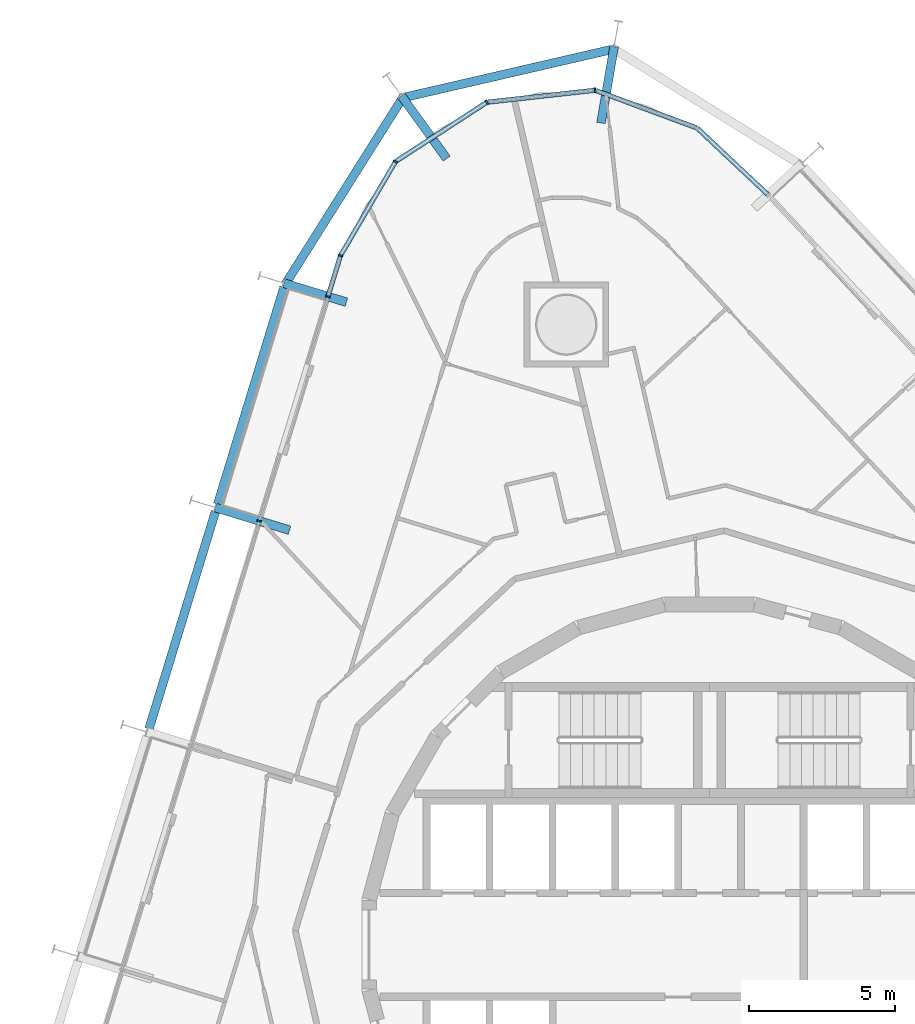
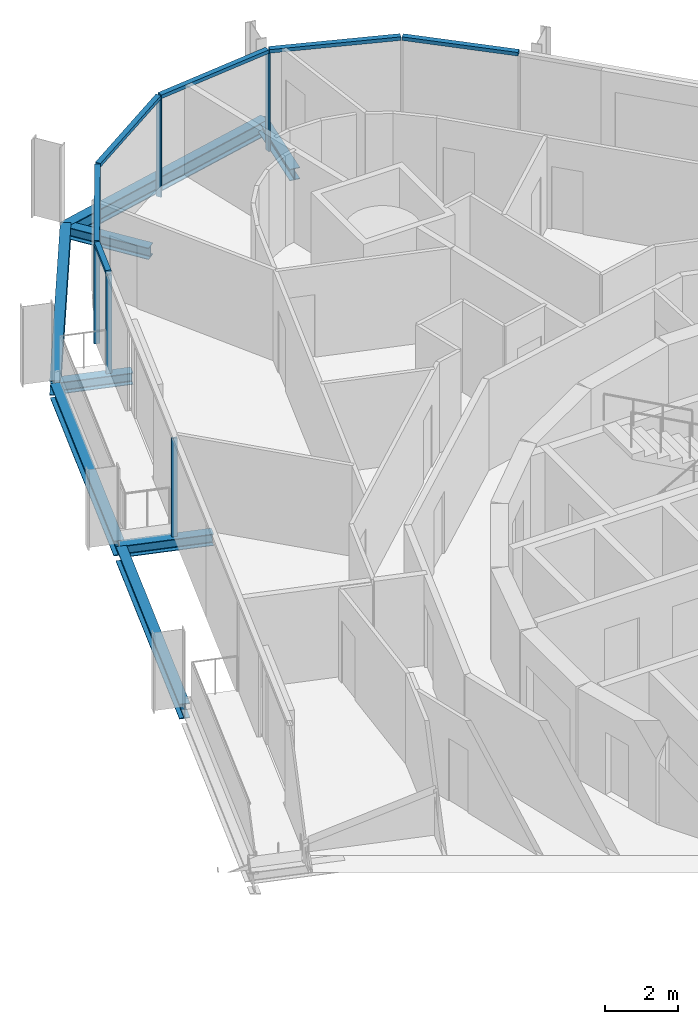
# One storey, part 7 of 18: 12 members, 8 beams, 2 elements without a shape of their own.
"""IFC4 building model written with IfcOpenShell, lengths in metres."""

from ifc_helpers import new_model, si_unit, direction, frame, origin, origin_2d, place, context, subcontext, project, spatial, rectangle, i_section, extrude, material, layer, layer_set, material_profile, profile_set, type_object, element, aggregate, save


model = new_model("IFC4")

# Units and contexts
model_context = context("Model", 3, precision=1e-05, world=origin(), true_north=direction((0.0, 1.0)))
body_context = subcontext(model_context, "Body", "Model", "MODEL_VIEW")
ifc_project = project(units=[si_unit("LENGTHUNIT", "METRE"), si_unit("AREAUNIT", "SQUARE_METRE"), si_unit("VOLUMEUNIT", "CUBIC_METRE"), si_unit("PLANEANGLEUNIT", "RADIAN"), si_unit("MASSUNIT", "GRAM", prefix="KILO")], contexts=[model_context])

# Site, building, storey
site_placement = place(None, origin())
site = spatial("IfcSite", under=ifc_project, at=site_placement, CompositionType="ELEMENT")
building_placement = place(site_placement, origin())
building = spatial("IfcBuilding", under=site, at=building_placement, Name="Spindle Arch Residences", CompositionType="ELEMENT")
storey_placement = place(building_placement, frame((0.0, 0.0, 141.39990234375)))
storey = spatial("IfcBuildingStorey", under=building, at=storey_placement, Name="L35", CompositionType="ELEMENT", Elevation=141.39990234375)

# Curtain wall, members
ifc_material_1 = material(Name="Aluminium bronze unitised frame with tinted glass", Category="aluminium")
ifc_layer_1 = layer(ifc_material_1, 0.159912109375)
ifc_layer_set_1 = layer_set([ifc_layer_1], Name="CW-D corner wall on the fillet arcs")
curtain_wall_type_1 = type_object("IfcCurtainWallType", Name="CW-D corner wall on the fillet arcs", PredefinedType="NOTDEFINED", material=ifc_layer_set_1)
curtain_wall_1_placement = place(storey_placement, origin())
curtain_wall_1 = element("IfcCurtainWall", 1, at=curtain_wall_1_placement, inside=storey, type_object=curtain_wall_type_1, Name="CW-D L35 run 3", PredefinedType="NOTDEFINED")
ifc_material_2 = material(Name="Aluminium bronze anodised mullion", Category="aluminium")
ifc_material_profile_1 = material_profile(ifc_material_2, rectangle(XDim=0.159912109375, YDim=0.06005859375, at=origin_2d()), Name="MU 60x160")
ifc_profile_set_1 = profile_set([ifc_material_profile_1], Name="Aluminium bronze anodised mullion")
member_type_1 = type_object("IfcMemberType", Name="Bronze mullion 60x160", PredefinedType="MULLION", material=ifc_profile_set_1)
member_1_placement = place(storey_placement, frame((-3.9150390625, 29.243408203125, -0.3798828125), z_axis=(0.0, 0.0, 1.0), x_axis=(0.110312556619, -0.993896946294, 0.0)))
member_1 = element("IfcMember", 2, at=member_1_placement, type_object=member_type_1, Name="CW-D mullion 02", PredefinedType="MULLION", context=body_context, shape_type="SweptSolid", body=[
    extrude(rectangle(XDim=0.159912109375, YDim=0.06005859375, at=origin_2d()), origin(), (0.0, 0.0, 1.0), 3.31005859375),
])
member_2_placement = place(storey_placement, frame((-7.619140625, 28.832275390625, -0.3798828125), z_axis=(0.0, 0.0, 1.0), x_axis=(0.544639035308, -0.838670567755, 0.0)))
member_2 = element("IfcMember", 3, at=member_2_placement, type_object=member_type_1, Name="CW-D mullion 03", PredefinedType="MULLION", context=body_context, shape_type="SweptSolid", body=[
    extrude(rectangle(XDim=0.159912109375, YDim=0.06005859375, at=origin_2d()), origin(), (0.0, 0.0, 1.0), 3.31005859375),
])
member_3_placement = place(storey_placement, frame((-10.74462890625, 26.802490234375, -0.3798828125), z_axis=(0.0, 0.0, 1.0), x_axis=(0.863101880723, -0.505029844161, 0.0)))
member_3 = element("IfcMember", 4, at=member_3_placement, type_object=member_type_1, Name="CW-D mullion 04", PredefinedType="MULLION", context=body_context, shape_type="SweptSolid", body=[
    extrude(rectangle(XDim=0.159912109375, YDim=0.06005859375, at=origin_2d()), origin(), (0.0, 0.0, 1.0), 3.31005859375),
])
member_4_placement = place(storey_placement, frame((-12.626708984375, 23.5859375, -0.3798828125), z_axis=(0.0, 0.0, 1.0), x_axis=(0.956304755963, -0.292371704723, 0.0)))
member_4 = element("IfcMember", 5, at=member_4_placement, type_object=member_type_1, Name="CW-D mullion 05", PredefinedType="MULLION", context=body_context, shape_type="SweptSolid", body=[
    extrude(rectangle(XDim=0.159912109375, YDim=0.06005859375, at=origin_2d()), origin(), (0.0, 0.0, 1.0), 3.31005859375),
])

ifc_material_3 = material(Name="Aluminium bronze unitised frame with tinted glass", Category="aluminium")
ifc_layer_2 = layer(ifc_material_3, 0.159912109375)
ifc_layer_set_2 = layer_set([ifc_layer_2], Name="CW-C typical residential unitised wall")
curtain_wall_type_2 = type_object("IfcCurtainWallType", Name="CW-C typical residential unitised wall", PredefinedType="NOTDEFINED", material=ifc_layer_set_2)
curtain_wall_2_placement = place(storey_placement, origin())
curtain_wall_2 = element("IfcCurtainWall", 6, at=curtain_wall_2_placement, inside=storey, type_object=curtain_wall_type_2, Name="CW-C L35 run 4", PredefinedType="NOTDEFINED")
member_5_placement = place(storey_placement, frame((-13.0556640625, 22.182861328125, -0.3798828125), z_axis=(0.0, 0.0, 1.0), x_axis=(0.956304755963, -0.292371704723, 0.0)))
member_5 = element("IfcMember", 7, at=member_5_placement, type_object=member_type_1, Name="CW-C mullion 12", PredefinedType="MULLION", context=body_context, shape_type="SweptSolid", body=[
    extrude(rectangle(XDim=0.159912109375, YDim=0.06005859375, at=origin_2d()), origin(), (0.0, 0.0, 1.0), 3.31005859375),
])
member_6_placement = place(storey_placement, frame((-15.4033203125, 14.504638671875, -0.3798828125), z_axis=(0.0, 0.0, 1.0), x_axis=(0.956304755963, -0.292371704723, 0.0)))
member_6 = element("IfcMember", 8, at=member_6_placement, type_object=member_type_1, Name="CW-C mullion 13", PredefinedType="MULLION", context=body_context, shape_type="SweptSolid", body=[
    extrude(rectangle(XDim=0.159912109375, YDim=0.06005859375, at=origin_2d()), origin(), (0.0, 0.0, 1.0), 3.31005859375),
])
aggregate(curtain_wall_2, [member_5, member_6])

# Member
ifc_material_4 = material(Name="Aluminium bronze anodised transom", Category="aluminium")
ifc_material_profile_2 = material_profile(ifc_material_4, rectangle(XDim=0.159912109375, YDim=0.1201171875, at=origin_2d()), Name="TR 120x160")
ifc_profile_set_2 = profile_set([ifc_material_profile_2], Name="Aluminium bronze anodised transom")
member_type_2 = type_object("IfcMemberType", Name="Bronze transom 120x160", PredefinedType="USERDEFINED", material=ifc_profile_set_2)
member_7_placement = place(storey_placement, frame((1.98828125, 25.681640625, 2.989990234375), z_axis=(-0.72826996669, 0.685290344027, 0.0), x_axis=(-0.685290344027, -0.72826996669, 0.0)))
member_7 = element("IfcMember", 9, at=member_7_placement, type_object=member_type_2, Name="CW-D transom 00", ObjectType="TRANSOM", PredefinedType="USERDEFINED", context=body_context, shape_type="SweptSolid", body=[
    extrude(rectangle(XDim=0.159912109375, YDim=0.1201171875, at=origin_2d()), origin(), (0.0, 0.0, 1.0), 3.277587890625),
])

member_8_placement = place(storey_placement, frame((-0.44873046875, 27.958740234375, 2.989990234375), z_axis=(-0.937682080581, 0.347494339172, 0.0), x_axis=(-0.347494339172, -0.937682080581, 0.0)))
member_8 = element("IfcMember", 10, at=member_8_placement, type_object=member_type_2, Name="CW-D transom 01", ObjectType="TRANSOM", PredefinedType="USERDEFINED", context=body_context, shape_type="SweptSolid", body=[
    extrude(rectangle(XDim=0.159912109375, YDim=0.1201171875, at=origin_2d()), origin(), (0.0, 0.0, 1.0), 3.666748046875),
])

member_9_placement = place(storey_placement, frame((-3.945068359375, 29.239990234375, 2.989990234375), z_axis=(-0.993895097359, -0.110329213929, 0.0), x_axis=(0.110329213929, -0.993895097359, 0.0)))
member_9 = element("IfcMember", 11, at=member_9_placement, type_object=member_type_2, Name="CW-D transom 02", ObjectType="TRANSOM", PredefinedType="USERDEFINED", context=body_context, shape_type="SweptSolid", body=[
    extrude(rectangle(XDim=0.159912109375, YDim=0.1201171875, at=origin_2d()), origin(), (0.0, 0.0, 1.0), 3.666748046875),
])

member_10_placement = place(storey_placement, frame((-7.644287109375, 28.81591796875, 2.989990234375), z_axis=(-0.838668683676, -0.544641936525, 0.0), x_axis=(0.544641936525, -0.838668683676, 0.0)))
member_10 = element("IfcMember", 12, at=member_10_placement, type_object=member_type_2, Name="CW-D transom 03", ObjectType="TRANSOM", PredefinedType="USERDEFINED", context=body_context, shape_type="SweptSolid", body=[
    extrude(rectangle(XDim=0.159912109375, YDim=0.1201171875, at=origin_2d()), origin(), (0.0, 0.0, 1.0), 3.666748046875),
])

member_11_placement = place(storey_placement, frame((-10.759765625, 26.776611328125, 2.989990234375), z_axis=(-0.505025585574, -0.86310437255, 0.0), x_axis=(0.86310437255, -0.505025585574, 0.0)))
member_11 = element("IfcMember", 13, at=member_11_placement, type_object=member_type_2, Name="CW-D transom 04", ObjectType="TRANSOM", PredefinedType="USERDEFINED", context=body_context, shape_type="SweptSolid", body=[
    extrude(rectangle(XDim=0.159912109375, YDim=0.1201171875, at=origin_2d()), origin(), (0.0, 0.0, 1.0), 3.666748046875),
])

member_12_placement = place(storey_placement, frame((-12.635498046875, 23.55712890625, 2.989990234375), z_axis=(-0.292390464398, -0.956299020354, 0.0), x_axis=(0.956299020354, -0.292390464398, 0.0)))
member_12 = element("IfcMember", 14, at=member_12_placement, type_object=member_type_2, Name="CW-D transom 05", ObjectType="TRANSOM", PredefinedType="USERDEFINED", context=body_context, shape_type="SweptSolid", body=[
    extrude(rectangle(XDim=0.159912109375, YDim=0.1201171875, at=origin_2d()), origin(), (0.0, 0.0, 1.0), 1.406982421875),
])

aggregate(curtain_wall_1, [member_7, member_8, member_1, member_9, member_2, member_10, member_3, member_11, member_4, member_12])

# Beams
ifc_material_5 = material(Name="Steel S460ML, intumescent coating R 120", Category="steel")
ifc_material_profile_3 = material_profile(ifc_material_5, i_section(OverallWidth=0.300048828125, OverallDepth=0.5, WebThickness=0.014404296875, FlangeThickness=0.028076171875, FilletRadius=0.027099609375, at=origin_2d()), Name="HEB 500")
ifc_profile_set_3 = profile_set([ifc_material_profile_3], Name="Steel S460ML, intumescent coating R 120")
beam_type_1 = type_object("IfcBeamType", Name="Exoskeleton edge beam HEB 500", PredefinedType="BEAM", material=ifc_profile_set_3)
beam_1_placement = place(storey_placement, frame((-3.20166015625, 30.670166015625, -0.6298828125), z_axis=(-0.974372141151, -0.224942060428, 0.0), x_axis=(0.224942060428, -0.974372141151, 0.0)))
element("IfcBeam", 15, at=beam_1_placement, inside=storey, type_object=beam_type_1, Name="Exoskeleton edge beam 11", PredefinedType="BEAM", context=body_context, shape_type="SweptSolid", body=[
    extrude(i_section(OverallWidth=0.300048828125, OverallDepth=0.5, WebThickness=0.014404296875, FlangeThickness=0.028076171875, FilletRadius=0.027099609375, at=origin_2d()), origin(), (0.0, 0.0, 1.0), 7.5595703125),
])
beam_2_placement = place(storey_placement, frame((-10.47509765625, 29.022705078125, -0.6298828125), z_axis=(-0.532774034173, -0.846257542661, 0.0), x_axis=(0.846257542661, -0.532774034173, 0.0)))
element("IfcBeam", 16, at=beam_2_placement, inside=storey, type_object=beam_type_1, Name="Exoskeleton edge beam 12", PredefinedType="BEAM", context=body_context, shape_type="SweptSolid", body=[
    extrude(i_section(OverallWidth=0.300048828125, OverallDepth=0.5, WebThickness=0.014404296875, FlangeThickness=0.028076171875, FilletRadius=0.027099609375, at=origin_2d()), origin(), (0.0, 0.0, 1.0), 7.591796875),
])
for number, where, z_axis, x_axis, name in (
    (17, (-14.556884765625, 22.505859375, -0.6298828125), (-0.292380603236, -0.956302035369, 0.0), (0.956302035369, -0.292380603236, 0.0), "Exoskeleton edge beam 13"),
    (18, (-16.904296875, 14.82763671875, -0.6298828125), (-0.292371816855, -0.956304721681, 0.0), (0.956304721681, -0.292371816855, 0.0), "Exoskeleton edge beam 14"),
):
    element("IfcBeam", number, at=place(storey_placement, frame(where, z_axis=z_axis, x_axis=x_axis)), inside=storey, type_object=beam_type_1, Name=name, PredefinedType="BEAM", context=body_context, shape_type="SweptSolid", body=[
        extrude(i_section(OverallWidth=0.300048828125, OverallDepth=0.5, WebThickness=0.014404296875, FlangeThickness=0.028076171875, FilletRadius=0.027099609375, at=origin_2d()), origin(), (0.0, 0.0, 1.0), 7.76904296875),
    ])
ifc_material_6 = material(Name="Steel S460ML, intumescent coating R 120", Category="steel")
ifc_material_profile_4 = material_profile(ifc_material_6, i_section(OverallWidth=0.300048828125, OverallDepth=0.389892578125, WebThickness=0.010986328125, FlangeThickness=0.01904296875, FilletRadius=0.027099609375, at=origin_2d()), Name="HEA 400")
ifc_profile_set_4 = profile_set([ifc_material_profile_4], Name="Steel S460ML, intumescent coating R 120")
beam_type_2 = type_object("IfcBeamType", Name="Floor outrigger HEA 400", PredefinedType="BEAM", material=ifc_profile_set_4)
for number, where, z_axis, x_axis, name in (
    (19, (-3.26171875, 30.7333984375, -0.574951171875), (-0.169700209351, -0.985495732587, 0.0), (0.985495732587, -0.169700209351, 0.0), "Floor outrigger 11"),
    (20, (-10.541015625, 29.052734375, -0.574951171875), (0.584588663969, -0.811329830561, 0.0), (0.811329830561, 0.584588663969, 0.0), "Floor outrigger 12"),
):
    element("IfcBeam", number, at=place(storey_placement, frame(where, z_axis=z_axis, x_axis=x_axis)), inside=storey, type_object=beam_type_2, Name=name, PredefinedType="BEAM", context=body_context, shape_type="SweptSolid", body=[
        extrude(i_section(OverallWidth=0.300048828125, OverallDepth=0.389892578125, WebThickness=0.010986328125, FlangeThickness=0.01904296875, FilletRadius=0.027099609375, at=origin_2d()), origin(), (0.0, 0.0, 1.0), 2.64990234375),
    ])
beam_3_placement = place(storey_placement, frame((-14.55712890625, 22.641845703125, -0.574951171875), z_axis=(0.956331173438, -0.292285283091, 0.0), x_axis=(0.292285283091, 0.956331173438, 0.0)))
element("IfcBeam", 21, at=beam_3_placement, inside=storey, type_object=beam_type_2, Name="Floor outrigger 13", PredefinedType="BEAM", context=body_context, shape_type="SweptSolid", body=[
    extrude(i_section(OverallWidth=0.300048828125, OverallDepth=0.389892578125, WebThickness=0.010986328125, FlangeThickness=0.01904296875, FilletRadius=0.027099609375, at=origin_2d()), origin(), (0.0, 0.0, 1.0), 2.230224609375),
])
beam_4_placement = place(storey_placement, frame((-16.904541015625, 14.963623046875, -0.574951171875), z_axis=(0.956291475666, -0.292415139091, 0.0), x_axis=(0.292415139091, 0.956291475666, 0.0)))
element("IfcBeam", 22, at=beam_4_placement, inside=storey, type_object=beam_type_2, Name="Floor outrigger 14", PredefinedType="BEAM", context=body_context, shape_type="SweptSolid", body=[
    extrude(i_section(OverallWidth=0.300048828125, OverallDepth=0.389892578125, WebThickness=0.010986328125, FlangeThickness=0.01904296875, FilletRadius=0.027099609375, at=origin_2d()), origin(), (0.0, 0.0, 1.0), 2.64990234375),
])

save(model, "model.ifc")
